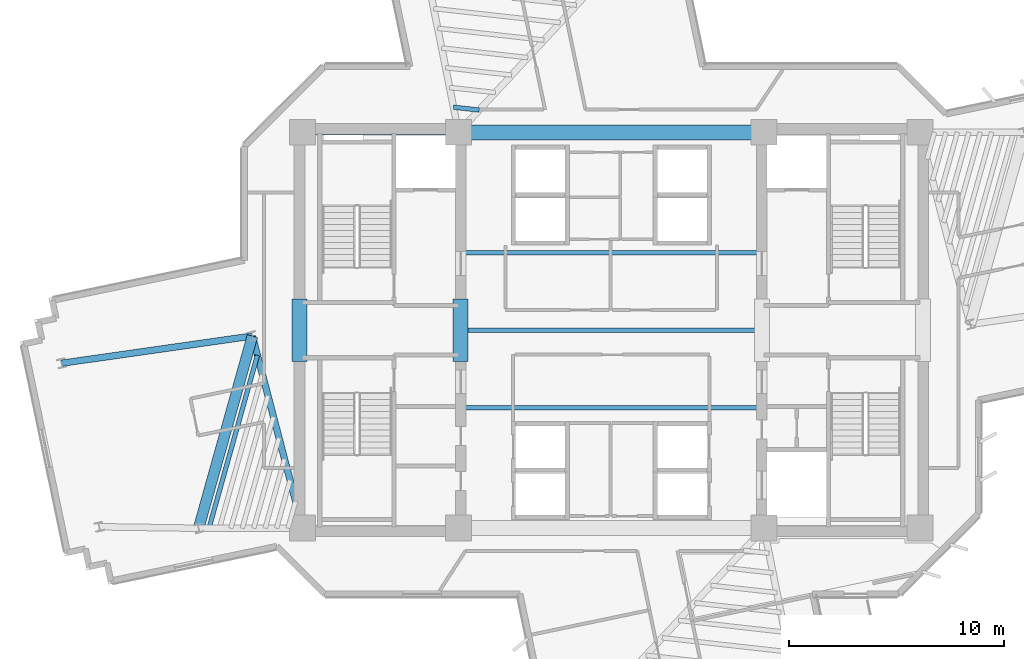
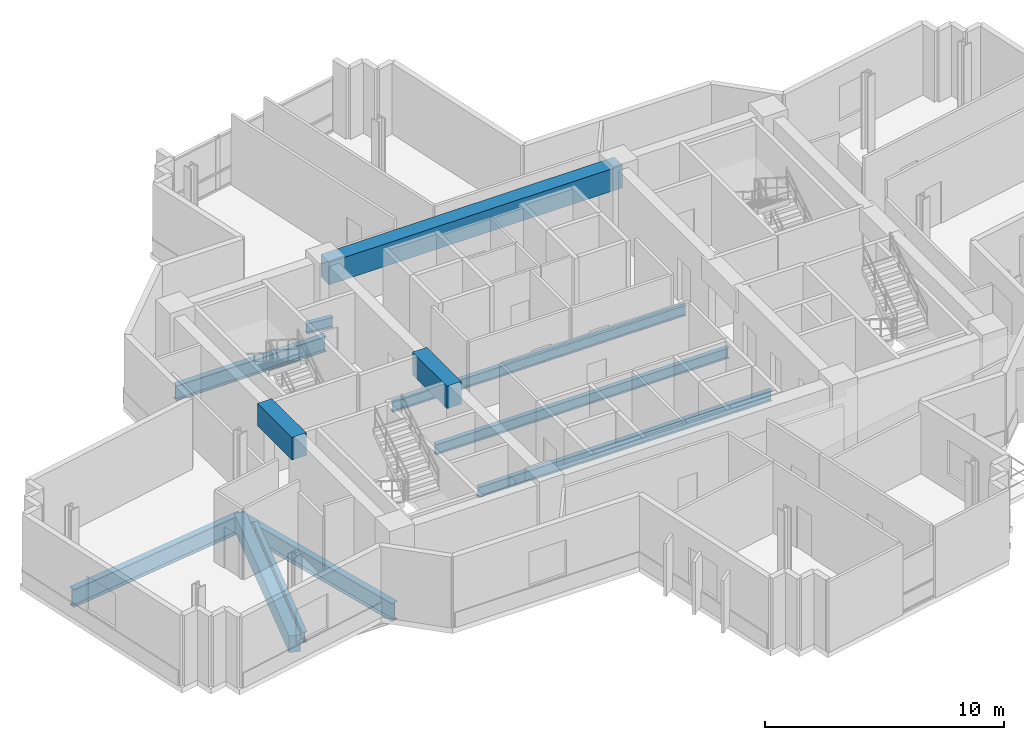
# One storey, part 3 of 14: 12 beams.
"""IFC4 building model written with IfcOpenShell, lengths in metres."""

from ifc_helpers import new_model, si_unit, direction, frame, origin, origin_2d, place, context, subcontext, project, spatial, rectangle, i_section, extrude, source, transform, mapped, material, material_profile, profile_set, type_object, element, save


model = new_model("IFC4")

# Units and contexts
model_context = context("Model", 3, precision=1e-05, world=origin(), true_north=direction((0.0, 1.0)))
body_context = subcontext(model_context, "Body", "Model", "MODEL_VIEW")
ifc_project = project(units=[si_unit("LENGTHUNIT", "METRE"), si_unit("AREAUNIT", "SQUARE_METRE"), si_unit("VOLUMEUNIT", "CUBIC_METRE"), si_unit("PLANEANGLEUNIT", "RADIAN"), si_unit("MASSUNIT", "GRAM", prefix="KILO")], contexts=[model_context])

# Site, building, storey
site_placement = place(None, origin())
site = spatial("IfcSite", under=ifc_project, at=site_placement, CompositionType="ELEMENT")
building_placement = place(site_placement, origin())
building = spatial("IfcBuilding", under=site, at=building_placement, Name="Zahravan Cultural Tower", CompositionType="ELEMENT")
storey_placement = place(building_placement, frame((0.0, 0.0, 159.0)))
storey = spatial("IfcBuildingStorey", under=building, at=storey_placement, Name="L36", CompositionType="ELEMENT", Elevation=159.0)

# Beams
ifc_material_1 = material(Name="Concrete C50/60", Category="concrete")
ifc_material_profile_1 = material_profile(ifc_material_1, rectangle(XDim=0.699951171875, YDim=1.14990234375, at=origin_2d()), Name="RC700X1150")
ifc_profile_set_1 = profile_set([ifc_material_profile_1], Name="Concrete C50/60")
beam_type_1 = type_object("IfcBeamType", Name="BM-LN-RC700X1150", PredefinedType="LINTEL", material=ifc_profile_set_1)
shared_shape_1 = source(origin(), body_context, "Body", "SweptSolid", [
    extrude(rectangle(XDim=0.699951171875, YDim=1.14990234375, at=origin_2d()), origin(), (0.0, 0.0, 1.0), 14.2001953125),
])
beam_1_placement = place(storey_placement, frame((28.89990234375, 36.199951171875, 3.044921875), z_axis=(1.0, 0.0, 0.0), x_axis=(0.0, 1.0, 0.0)))
element("IfcBeam", 1, at=beam_1_placement, inside=storey, type_object=beam_type_1, Name="L36 Beam LN-L36-N", PredefinedType="LINTEL", context=body_context, shape_type="MappedRepresentation", body=[
    mapped(shared_shape_1, transform((0.0, 0.0, 0.0), x_axis=(1.0, 0.0, 0.0), y_axis=(0.0, 1.0, 0.0), z_axis=(0.0, 0.0, 1.0), scale=1.0)),
])
shared_shape_2 = source(origin(), body_context, "Body", "SweptSolid", [
    extrude(rectangle(XDim=0.699951171875, YDim=1.14990234375, at=origin_2d()), origin(), (0.0, 0.0, 1.0), 2.89990234375),
])
for number, where, z_axis, x_axis, name in (
    (2, (21.5, 25.550048828125, 3.044921875), (0.0, 1.0, 0.0), (-1.0, 0.0, 0.0), "L36 Beam LN-L36-PWW"),
    (3, (29.0, 25.550048828125, 3.044921875), (0.0, 1.0, 0.0), (-1.0, 0.0, 0.0), "L36 Beam LN-L36-PWE"),
):
    element("IfcBeam", number, at=place(storey_placement, frame(where, z_axis=z_axis, x_axis=x_axis)), inside=storey, type_object=beam_type_1, Name=name, PredefinedType="LINTEL", context=body_context, shape_type="MappedRepresentation", body=[
        mapped(shared_shape_2, transform((0.0, 0.0, 0.0), x_axis=(1.0, 0.0, 0.0), y_axis=(0.0, 1.0, 0.0), z_axis=(0.0, 0.0, 1.0), scale=1.0)),
    ])
ifc_material_2 = material(Name="Steel ASTM A992 Grade 50", Category="steel")
ifc_material_profile_2 = material_profile(ifc_material_2, i_section(OverallWidth=0.26611328125, OverallDepth=0.780029296875, WebThickness=0.0166015625, FlangeThickness=0.030029296875, FilletRadius=0.01904296875, at=origin_2d()), Name="W30X148")
ifc_profile_set_2 = profile_set([ifc_material_profile_2], Name="Steel ASTM A992 Grade 50")
beam_type_2 = type_object("IfcBeamType", Name="BM-G-W30X148", PredefinedType="BEAM", material=ifc_profile_set_2)
shared_shape_3 = source(origin(), body_context, "Body", "SweptSolid", [
    extrude(i_section(OverallWidth=0.26611328125, OverallDepth=0.780029296875, WebThickness=0.0166015625, FlangeThickness=0.030029296875, FilletRadius=0.01904296875, at=origin_2d()), origin(), (0.0, 0.0, 1.0), 7.25),
])
beam_2_placement = place(storey_placement, frame((21.64990234375, 36.199951171875, -0.669921875), z_axis=(1.0, 0.0, 0.0), x_axis=(0.0, 1.0, 0.0)))
element("IfcBeam", 4, at=beam_2_placement, inside=storey, type_object=beam_type_2, Name="L36 Beam BG-L36-02", PredefinedType="BEAM", context=body_context, shape_type="MappedRepresentation", body=[
    mapped(shared_shape_3, transform((0.0, 0.0, 0.0), x_axis=(1.0, 0.0, 0.0), y_axis=(0.0, 1.0, 0.0), z_axis=(0.0, 0.0, 1.0), scale=1.0)),
])
ifc_material_profile_3 = material_profile(ifc_material_2, i_section(OverallWidth=0.304931640625, OverallDepth=0.9189453125, WebThickness=0.017333984375, FlangeThickness=0.02783203125, FilletRadius=0.02392578125, at=origin_2d()), Name="W36X170")
ifc_profile_set_3 = profile_set([ifc_material_profile_3], Name="Steel ASTM A992 Grade 50")
beam_type_3 = type_object("IfcBeamType", Name="BM-G-W36X170", PredefinedType="BEAM", material=ifc_profile_set_3)
shared_shape_4 = source(origin(), body_context, "Body", "SweptSolid", [
    extrude(i_section(OverallWidth=0.304931640625, OverallDepth=0.9189453125, WebThickness=0.017333984375, FlangeThickness=0.02783203125, FilletRadius=0.02392578125, at=origin_2d()), origin(), (0.0, 0.0, 1.0), 9.22900390625),
])
beam_3_placement = place(storey_placement, frame((21.64990234375, 17.800048828125, -0.739501953125), z_axis=(-0.252922608408, 0.967486513682, 0.0), x_axis=(-0.967486513682, -0.252922608408, 0.0)))
element("IfcBeam", 5, at=beam_3_placement, inside=storey, type_object=beam_type_3, Name="L36 Beam BG-L36-07", PredefinedType="BEAM", context=body_context, shape_type="MappedRepresentation", body=[
    mapped(shared_shape_4, transform((0.0, 0.0, 0.0), x_axis=(1.0, 0.0, 0.0), y_axis=(0.0, 1.0, 0.0), z_axis=(0.0, 0.0, 1.0), scale=1.0)),
])
shared_shape_5 = source(origin(), body_context, "Body", "SweptSolid", [
    extrude(i_section(OverallWidth=0.304931640625, OverallDepth=0.9189453125, WebThickness=0.017333984375, FlangeThickness=0.02783203125, FilletRadius=0.02392578125, at=origin_2d()), origin(), (0.0, 0.0, 1.0), 8.9580078125),
])
beam_4_placement = place(storey_placement, frame((19.315673828125, 26.72900390625, -0.739501953125), z_axis=(-0.990000122431, -0.141066500584, 0.0), x_axis=(0.141066500584, -0.990000122431, 0.0)))
element("IfcBeam", 6, at=beam_4_placement, inside=storey, type_object=beam_type_3, Name="L36 Beam BG-L36-17", PredefinedType="BEAM", context=body_context, shape_type="MappedRepresentation", body=[
    mapped(shared_shape_5, transform((0.0, 0.0, 0.0), x_axis=(1.0, 0.0, 0.0), y_axis=(0.0, 1.0, 0.0), z_axis=(0.0, 0.0, 1.0), scale=1.0)),
])
ifc_material_profile_4 = material_profile(ifc_material_1, rectangle(XDim=0.5, YDim=0.85009765625, at=origin_2d()), Name="RC500X850")
ifc_profile_set_4 = profile_set([ifc_material_profile_4], Name="Concrete C50/60")
beam_type_4 = type_object("IfcBeamType", Name="BM-SP-RC500X850", PredefinedType="SPANDREL", material=ifc_profile_set_4)
shared_shape_6 = source(origin(), body_context, "Body", "SweptSolid", [
    extrude(rectangle(XDim=0.5, YDim=0.85009765625, at=origin_2d()), origin(), (0.0, 0.0, 1.0), 9.2783203125),
])
beam_5_placement = place(storey_placement, frame((19.315673828125, 26.72900390625, -0.705078125), z_axis=(-0.269497187032, -0.963001176625, 0.0), x_axis=(0.963001176625, -0.269497187032, 0.0)))
element("IfcBeam", 7, at=beam_5_placement, inside=storey, type_object=beam_type_4, Name="L36 Beam SP-L36-19", PredefinedType="SPANDREL", context=body_context, shape_type="MappedRepresentation", body=[
    mapped(shared_shape_6, transform((0.0, 0.0, 0.0), x_axis=(1.0, 0.0, 0.0), y_axis=(0.0, 1.0, 0.0), z_axis=(0.0, 0.0, 1.0), scale=1.0)),
])
ifc_material_profile_5 = material_profile(ifc_material_2, i_section(OverallWidth=0.2099609375, OverallDepth=0.532958984375, WebThickness=0.01025390625, FlangeThickness=0.015625, FilletRadius=0.013916015625, at=origin_2d()), Name="W21X62")
ifc_profile_set_5 = profile_set([ifc_material_profile_5], Name="Steel ASTM A992 Grade 50")
beam_type_5 = type_object("IfcBeamType", Name="BM-J-W21X62", PredefinedType="JOIST", material=ifc_profile_set_5)
shared_shape_7 = source(origin(), body_context, "Body", "SweptSolid", [
    extrude(i_section(OverallWidth=0.2099609375, OverallDepth=0.532958984375, WebThickness=0.01025390625, FlangeThickness=0.015625, FilletRadius=0.013916015625, at=origin_2d()), origin(), (0.0, 0.0, 1.0), 14.2001953125),
])
for number, where, z_axis, x_axis, name in (
    (8, (28.89990234375, 23.39990234375, -0.54638671875), (1.0, 0.0, 0.0), (0.0, 1.0, 0.0), "L36 Beam BJ-L36-23"),
    (9, (28.89990234375, 27.0, -0.54638671875), (1.0, 0.0, 0.0), (0.0, 1.0, 0.0), "L36 Beam BJ-L36-24"),
    (10, (28.89990234375, 30.60009765625, -0.54638671875), (1.0, 0.0, 0.0), (0.0, 1.0, 0.0), "L36 Beam BJ-L36-25"),
):
    element("IfcBeam", number, at=place(storey_placement, frame(where, z_axis=z_axis, x_axis=x_axis)), inside=storey, type_object=beam_type_5, Name=name, PredefinedType="JOIST", context=body_context, shape_type="MappedRepresentation", body=[
        mapped(shared_shape_7, transform((0.0, 0.0, 0.0), x_axis=(1.0, 0.0, 0.0), y_axis=(0.0, 1.0, 0.0), z_axis=(0.0, 0.0, 1.0), scale=1.0)),
    ])
shared_shape_8 = source(origin(), body_context, "Body", "SweptSolid", [
    extrude(i_section(OverallWidth=0.2099609375, OverallDepth=0.532958984375, WebThickness=0.01025390625, FlangeThickness=0.015625, FilletRadius=0.013916015625, at=origin_2d()), origin(), (0.0, 0.0, 1.0), 8.350830078125),
])
beam_6_placement = place(storey_placement, frame((19.549072265625, 25.836181640625, -0.54638671875), z_axis=(-0.269496539555, -0.963001357822, 0.0), x_axis=(0.963001357822, -0.269496539555, 0.0)))
element("IfcBeam", 11, at=beam_6_placement, inside=storey, type_object=beam_type_5, Name="L36 Beam BJ-L36-33", PredefinedType="JOIST", context=body_context, shape_type="MappedRepresentation", body=[
    mapped(shared_shape_8, transform((0.0, 0.0, 0.0), x_axis=(1.0, 0.0, 0.0), y_axis=(0.0, 1.0, 0.0), z_axis=(0.0, 0.0, 1.0), scale=1.0)),
])
shared_shape_9 = source(origin(), body_context, "Body", "SweptSolid", [
    extrude(i_section(OverallWidth=0.2099609375, OverallDepth=0.532958984375, WebThickness=0.01025390625, FlangeThickness=0.015625, FilletRadius=0.013916015625, at=origin_2d()), origin(), (0.0, 0.0, 1.0), 1.201171875),
])
beam_7_placement = place(storey_placement, frame((29.859619140625, 37.234375, -0.54638671875), z_axis=(-0.99379916149, 0.111190047317, 0.0), x_axis=(-0.111190047317, -0.99379916149, 0.0)))
element("IfcBeam", 12, at=beam_7_placement, inside=storey, type_object=beam_type_5, Name="L36 Beam BJ-L36-50", PredefinedType="JOIST", context=body_context, shape_type="MappedRepresentation", body=[
    mapped(shared_shape_9, transform((0.0, 0.0, 0.0), x_axis=(1.0, 0.0, 0.0), y_axis=(0.0, 1.0, 0.0), z_axis=(0.0, 0.0, 1.0), scale=1.0)),
])

save(model, "model.ifc")
